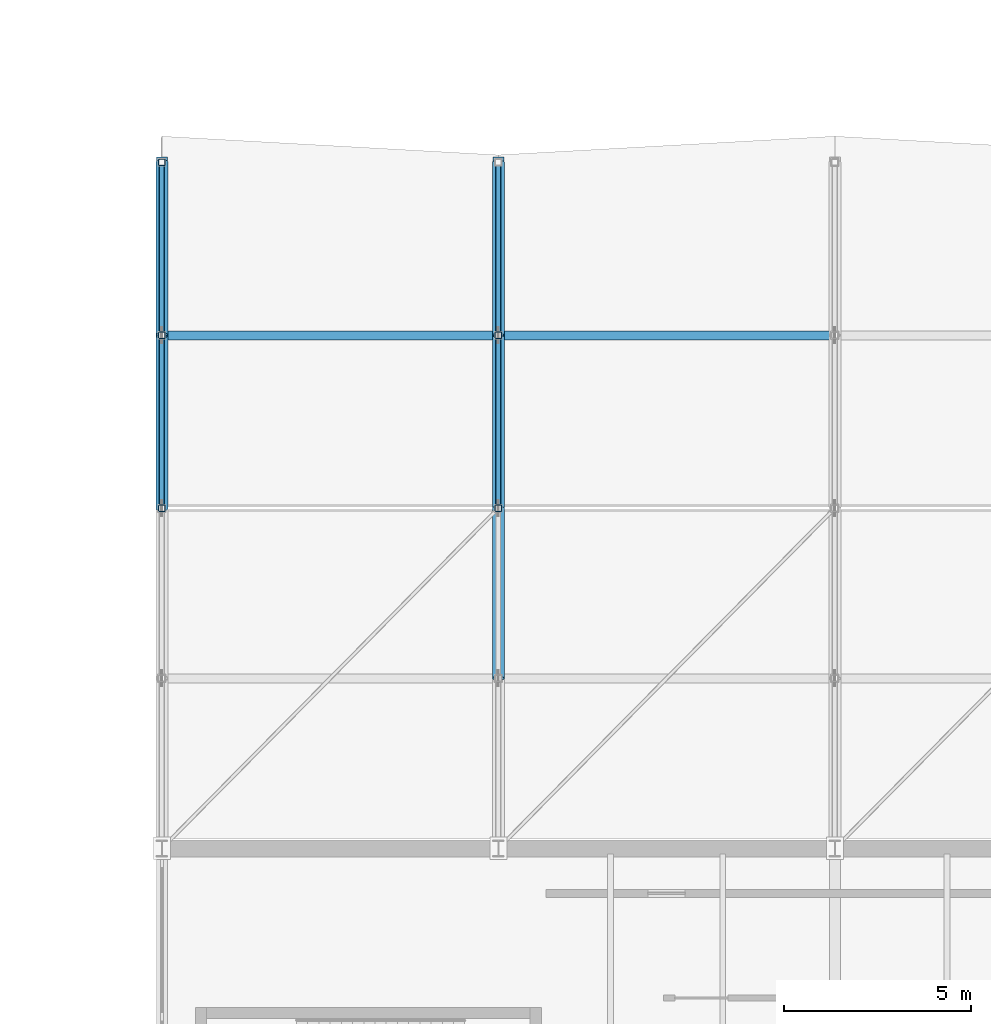
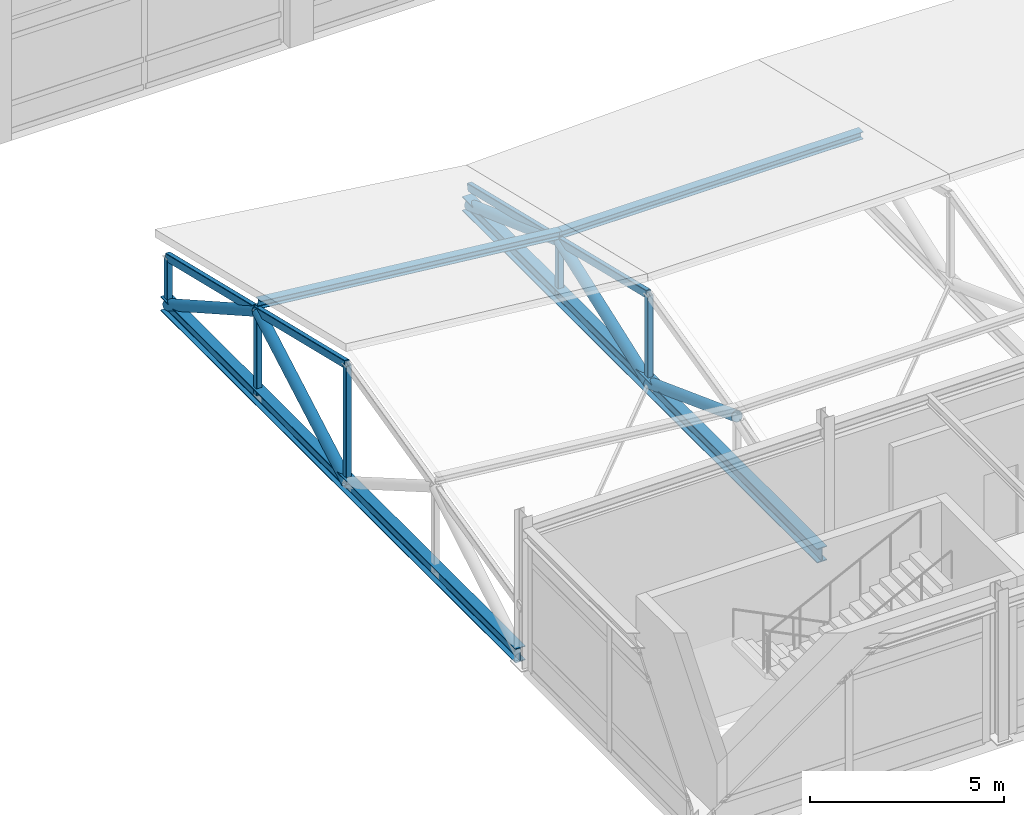
# One storey, part 23 of 90: 14 members, 2 beams.
"""IFC4 building model written with IfcOpenShell, lengths in metres."""

from ifc_helpers import new_model, si_unit, direction, frame, origin, origin_2d, place, context, subcontext, project, spatial, hollow_rectangle, hollow_circle, i_section, extrude, material, material_profile, profile_set, type_object, element, save


model = new_model("IFC4")

# Units and contexts
model_context = context("Model", 3, precision=1e-05, world=origin(), true_north=direction((0.0, 1.0)))
body_context = subcontext(model_context, "Body", "Model", "MODEL_VIEW")
ifc_project = project(units=[si_unit("LENGTHUNIT", "METRE"), si_unit("AREAUNIT", "SQUARE_METRE"), si_unit("VOLUMEUNIT", "CUBIC_METRE"), si_unit("PLANEANGLEUNIT", "RADIAN"), si_unit("MASSUNIT", "GRAM", prefix="KILO")], contexts=[model_context])

# Site, building, storey
site_placement = place(None, origin())
site = spatial("IfcSite", under=ifc_project, at=site_placement, CompositionType="ELEMENT")
building_placement = place(site_placement, origin())
building = spatial("IfcBuilding", under=site, at=building_placement, Name="Bozkorgan Art Gallery", CompositionType="ELEMENT")
storey_placement = place(building_placement, frame((0.0, 0.0, 5.39990234375)))
storey = spatial("IfcBuildingStorey", under=building, at=storey_placement, Name="L01", CompositionType="ELEMENT", Elevation=5.39990234375)

# Beams
ifc_material = material(Name="Steel S355J2", Category="steel")
ifc_material_profile_1 = material_profile(ifc_material, i_section(OverallWidth=0.300048828125, OverallDepth=0.449951171875, WebThickness=0.013916015625, FlangeThickness=0.02587890625, FilletRadius=0.027099609375, at=origin_2d()), Name="HEB 450")
ifc_profile_set_1 = profile_set([ifc_material_profile_1], Name="Steel S355J2")
beam_type = type_object("IfcBeamType", Name="BEAM-TB-37", PredefinedType="BEAM", material=ifc_profile_set_1)
for number, where, z_axis, x_axis, name in (
    (1, (83.0, 11.14990234375, 0.22509765625), (0.0, 1.0, 0.0), (-1.0, 0.0, 0.0), "ROOF-V3-BOWL roof truss 1 bottom chord"),
    (2, (92.0, 11.14990234375, 0.22509765625), (0.0, 1.0, 0.0), (-1.0, 0.0, 0.0), "ROOF-V3-BOWL roof truss 2 bottom chord"),
):
    element("IfcBeam", number, at=place(storey_placement, frame(where, z_axis=z_axis, x_axis=x_axis)), inside=storey, type_object=beam_type, Name=name, PredefinedType="BEAM", context=body_context, shape_type="SweptSolid", body=[
        extrude(i_section(OverallWidth=0.300048828125, OverallDepth=0.449951171875, WebThickness=0.013916015625, FlangeThickness=0.02587890625, FilletRadius=0.027099609375, at=origin_2d()), origin(), (0.0, 0.0, 1.0), 18.340087890625),
    ])

# Members
ifc_material_profile_2 = material_profile(ifc_material, i_section(OverallWidth=0.239990234375, OverallDepth=0.22998046875, WebThickness=0.007568359375, FlangeThickness=0.011962890625, FilletRadius=0.02099609375, at=origin_2d()), Name="HEA 240")
ifc_profile_set_2 = profile_set([ifc_material_profile_2], Name="Steel S355J2")
member_type_1 = type_object("IfcMemberType", Name="MEMBER-PR-93", PredefinedType="PURLIN", material=ifc_profile_set_2)
member_1_placement = place(storey_placement, frame((83.0, 24.72509765625, 3.08251953125), z_axis=(0.994598929439, 0.0, -0.103792916709), x_axis=(0.0, 1.0, 0.0)))
element("IfcMember", 3, at=member_1_placement, inside=storey, type_object=member_type_1, Name="ROOF-V3-BOWL roof purlin 1N", PredefinedType="PURLIN", context=body_context, shape_type="SweptSolid", body=[
    extrude(i_section(OverallWidth=0.239990234375, OverallDepth=0.22998046875, WebThickness=0.007568359375, FlangeThickness=0.011962890625, FilletRadius=0.02099609375, at=origin_2d()), origin(), (0.0, 0.0, 1.0), 9.048828125),
])
member_2_placement = place(storey_placement, frame((92.0, 24.72509765625, 2.143310546875), z_axis=(0.999999574673, 0.0, -0.000922308635), x_axis=(0.0, 1.0, 0.0)))
element("IfcMember", 4, at=member_2_placement, inside=storey, type_object=member_type_1, Name="ROOF-V3-BOWL roof purlin 2N", PredefinedType="PURLIN", context=body_context, shape_type="SweptSolid", body=[
    extrude(i_section(OverallWidth=0.239990234375, OverallDepth=0.22998046875, WebThickness=0.007568359375, FlangeThickness=0.011962890625, FilletRadius=0.02099609375, at=origin_2d()), origin(), (0.0, 0.0, 1.0), 9.0),
])
ifc_material_profile_3 = material_profile(ifc_material, hollow_rectangle(XDim=0.14990234375, YDim=0.25, WallThickness=0.010009765625, InnerFilletRadius=0.014892578125, OuterFilletRadius=0.02490234375, at=origin_2d()), Name="RHS 250x150x10")
ifc_profile_set_3 = profile_set([ifc_material_profile_3], Name="Steel S355J2")
member_type_2 = type_object("IfcMemberType", Name="MEMBER-TC-35", PredefinedType="CHORD", material=ifc_profile_set_3)
for number, where, z_axis, x_axis, name in (
    (5, (83.0, 20.10009765625, 3.952880859375), (0.0, 0.972370526405, -0.233442839637), (-1.0, 0.0, 0.0), "ROOF-V3-BOWL roof truss 1 north top chord"),
    (6, (92.0, 20.10009765625, 3.013671875), (0.0, 0.972370526405, -0.233442839637), (-1.0, 0.0, 0.0), "ROOF-V3-BOWL roof truss 2 north top chord"),
):
    element("IfcMember", number, at=place(storey_placement, frame(where, z_axis=z_axis, x_axis=x_axis)), inside=storey, type_object=member_type_2, Name=name, PredefinedType="CHORD", context=body_context, shape_type="SweptSolid", body=[
        extrude(hollow_rectangle(XDim=0.14990234375, YDim=0.25, WallThickness=0.010009765625, InnerFilletRadius=0.014892578125, OuterFilletRadius=0.02490234375, at=origin_2d()), origin(), (0.0, 0.0, 1.0), 9.512939453125),
    ])
ifc_material_profile_4 = material_profile(ifc_material, hollow_rectangle(XDim=0.179931640625, YDim=0.179931640625, WallThickness=0.010009765625, InnerFilletRadius=0.014892578125, OuterFilletRadius=0.02490234375, at=origin_2d()), Name="SHS 180x180x10")
ifc_profile_set_4 = profile_set([ifc_material_profile_4], Name="Steel S355J2")
member_type_3 = type_object("IfcMemberType", Name="MEMBER-TP-98", PredefinedType="POST", material=ifc_profile_set_4)
member_3_placement = place(storey_placement, frame((83.0, 20.10009765625, 0.22509765625), z_axis=(0.0, 0.0, 1.0), x_axis=(1.0, 0.0, 0.0)))
element("IfcMember", 7, at=member_3_placement, inside=storey, type_object=member_type_3, Name="ROOF-V3-BOWL roof truss 1 post 2", PredefinedType="POST", context=body_context, shape_type="SweptSolid", body=[
    extrude(hollow_rectangle(XDim=0.179931640625, YDim=0.179931640625, WallThickness=0.010009765625, InnerFilletRadius=0.014892578125, OuterFilletRadius=0.02490234375, at=origin_2d()), origin(), (0.0, 0.0, 1.0), 3.727783203125),
])
member_4_placement = place(storey_placement, frame((83.0, 24.72509765625, 0.22509765625), z_axis=(0.0, 0.0, 1.0), x_axis=(1.0, 0.0, 0.0)))
element("IfcMember", 8, at=member_4_placement, inside=storey, type_object=member_type_3, Name="ROOF-V3-BOWL roof truss 1 post 3", PredefinedType="POST", context=body_context, shape_type="SweptSolid", body=[
    extrude(hollow_rectangle(XDim=0.179931640625, YDim=0.179931640625, WallThickness=0.010009765625, InnerFilletRadius=0.014892578125, OuterFilletRadius=0.02490234375, at=origin_2d()), origin(), (0.0, 0.0, 1.0), 2.617431640625),
])
member_5_placement = place(storey_placement, frame((83.0, 29.35009765625, 0.22509765625), z_axis=(0.0, 0.0, 1.0), x_axis=(1.0, 0.0, 0.0)))
element("IfcMember", 9, at=member_5_placement, inside=storey, type_object=member_type_3, Name="ROOF-V3-BOWL roof truss 1 post 4", PredefinedType="POST", context=body_context, shape_type="SweptSolid", body=[
    extrude(hollow_rectangle(XDim=0.179931640625, YDim=0.179931640625, WallThickness=0.010009765625, InnerFilletRadius=0.014892578125, OuterFilletRadius=0.02490234375, at=origin_2d()), origin(), (0.0, 0.0, 1.0), 1.507080078125),
])
member_6_placement = place(storey_placement, frame((92.0, 20.10009765625, 0.22509765625), z_axis=(0.0, 0.0, 1.0), x_axis=(1.0, 0.0, 0.0)))
element("IfcMember", 10, at=member_6_placement, inside=storey, type_object=member_type_3, Name="ROOF-V3-BOWL roof truss 2 post 2", PredefinedType="POST", context=body_context, shape_type="SweptSolid", body=[
    extrude(hollow_rectangle(XDim=0.179931640625, YDim=0.179931640625, WallThickness=0.010009765625, InnerFilletRadius=0.014892578125, OuterFilletRadius=0.02490234375, at=origin_2d()), origin(), (0.0, 0.0, 1.0), 2.78857421875),
])
member_7_placement = place(storey_placement, frame((92.0, 24.72509765625, 0.22509765625), z_axis=(0.0, 0.0, 1.0), x_axis=(1.0, 0.0, 0.0)))
element("IfcMember", 11, at=member_7_placement, inside=storey, type_object=member_type_3, Name="ROOF-V3-BOWL roof truss 2 post 3", PredefinedType="POST", context=body_context, shape_type="SweptSolid", body=[
    extrude(hollow_rectangle(XDim=0.179931640625, YDim=0.179931640625, WallThickness=0.010009765625, InnerFilletRadius=0.014892578125, OuterFilletRadius=0.02490234375, at=origin_2d()), origin(), (0.0, 0.0, 1.0), 1.67822265625),
])
ifc_material_profile_5 = material_profile(ifc_material, hollow_circle(Radius=0.161865234375, WallThickness=0.012451171875, at=origin_2d()), Name="CHS 323.9x12.5")
ifc_profile_set_5 = profile_set([ifc_material_profile_5], Name="Steel S355J2")
member_type_4 = type_object("IfcMemberType", Name="MEMBER-TW-97", PredefinedType="BRACE", material=ifc_profile_set_5)
for number, where, z_axis, x_axis, name in (
    (12, (83.0, 20.10009765625, 0.22509765625), (0.0, 0.870296612002, 0.492527975996), (-1.0, 0.0, 0.0), "ROOF-V3-BOWL roof truss 1 diagonal 3"),
    (13, (83.0, 24.72509765625, 2.842529296875), (0.0, 0.870296612002, -0.492527975996), (-1.0, 0.0, 0.0), "ROOF-V3-BOWL roof truss 1 diagonal 4"),
):
    element("IfcMember", number, at=place(storey_placement, frame(where, z_axis=z_axis, x_axis=x_axis)), inside=storey, type_object=member_type_4, Name=name, PredefinedType="BRACE", context=body_context, shape_type="SweptSolid", body=[
        extrude(hollow_circle(Radius=0.161865234375, WallThickness=0.012451171875, at=origin_2d()), origin(), (0.0, 0.0, 1.0), 5.314208984375),
    ])
member_8_placement = place(storey_placement, frame((92.0, 15.550048828125, 1.92138671875), z_axis=(0.0, 0.937003077633, -0.349321102291), x_axis=(-1.0, 0.0, 0.0)))
element("IfcMember", 14, at=member_8_placement, inside=storey, type_object=member_type_4, Name="ROOF-V3-BOWL roof truss 2 diagonal 2", PredefinedType="BRACE", context=body_context, shape_type="SweptSolid", body=[
    extrude(hollow_circle(Radius=0.161865234375, WallThickness=0.012451171875, at=origin_2d()), origin(), (0.0, 0.0, 1.0), 4.85595703125),
])
for number, where, z_axis, x_axis, name in (
    (15, (92.0, 20.10009765625, 0.22509765625), (0.0, 0.940027907474, 0.341097542017), (-1.0, 0.0, 0.0), "ROOF-V3-BOWL roof truss 2 diagonal 3"),
    (16, (92.0, 24.72509765625, 1.9033203125), (0.0, 0.940027907474, -0.341097542017), (-1.0, 0.0, 0.0), "ROOF-V3-BOWL roof truss 2 diagonal 4"),
):
    element("IfcMember", number, at=place(storey_placement, frame(where, z_axis=z_axis, x_axis=x_axis)), inside=storey, type_object=member_type_4, Name=name, PredefinedType="BRACE", context=body_context, shape_type="SweptSolid", body=[
        extrude(hollow_circle(Radius=0.161865234375, WallThickness=0.012451171875, at=origin_2d()), origin(), (0.0, 0.0, 1.0), 4.920166015625),
    ])

save(model, "model.ifc")
